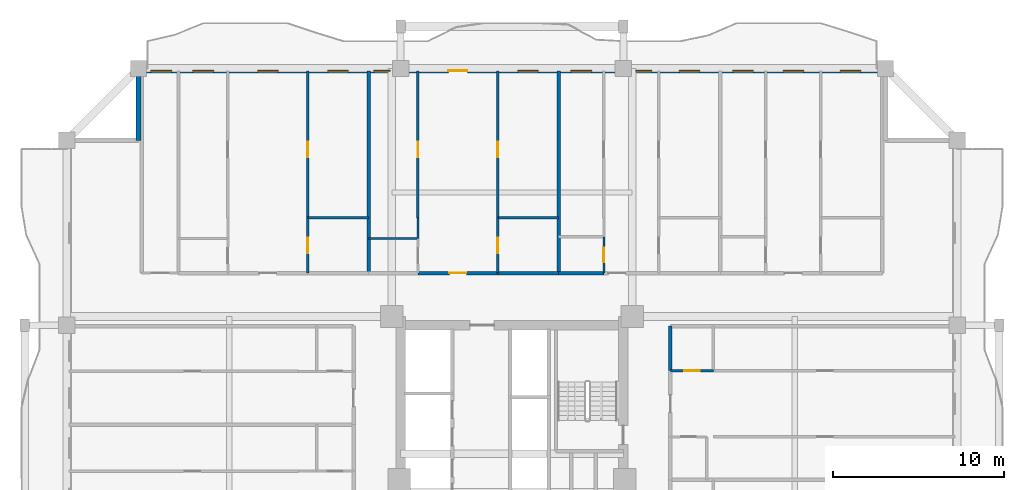
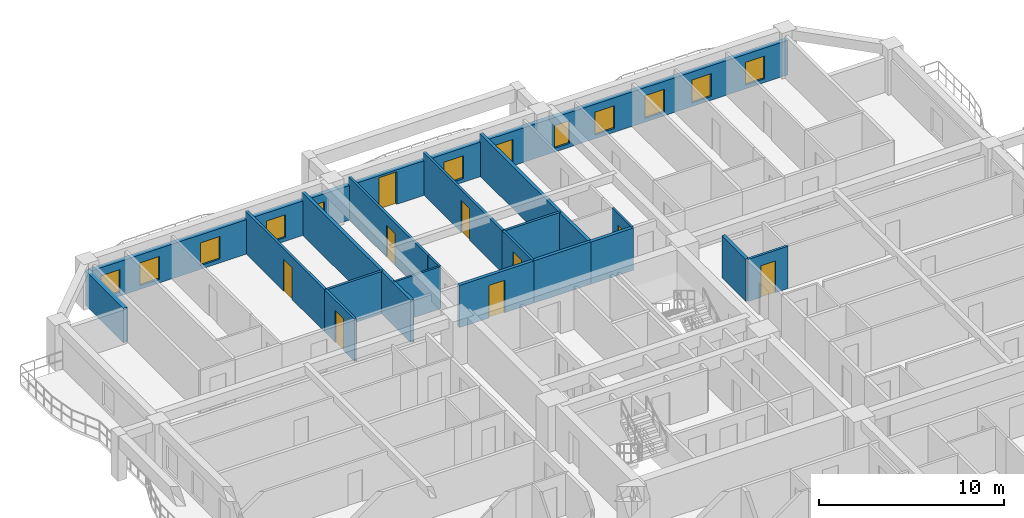
# One storey, part 7 of 14: 19 walls, 12 windows, 9 doors, 21 openings.
"""IFC4 building model written with IfcOpenShell, lengths in metres."""

import ifcopenshell
import ifcopenshell.guid

model = None  # the IFC model being written
_history = None  # IfcOwnerHistory: only IFC2X3 demands one
_inside = {}  # id of a spatial element -> (the spatial element, [elements in it])
_under = {}  # id of a project, library or spatial element -> (it, [spatial elements below it])
_declared = {}  # id of a project -> (the project, [libraries it declares])
_typed = {}  # id of a type object -> (the type object, [elements of that type])
_made_of = {}  # id of a material, layer set ... -> (it, [elements and type objects made of it])


def new_model(schema):
    """Start an empty IFC model of exactly this schema.

    Asked for "IFC4X3", IfcOpenShell would pick the latest addendum, in which some entities
    have other attributes; the version numbers below select the first issue.
    IFC2X3 requires an IfcOwnerHistory on every rooted entity: one is made here for all.
    """
    global model, _history
    if schema == "IFC4X3":
        model = ifcopenshell.file(schema_version=(4, 3, 0, 0))
    else:
        model = ifcopenshell.file(schema=schema)
    _inside.clear()
    _under.clear()
    _declared.clear()
    _typed.clear()
    _made_of.clear()
    _history = None
    if model.schema == "IFC2X3":
        org = make("IfcOrganization", Name="unknown")
        user = make(
            "IfcPersonAndOrganization",
            ThePerson=make("IfcPerson", FamilyName="unknown"),
            TheOrganization=org,
        )
        app = make(
            "IfcApplication",
            ApplicationDeveloper=org,
            Version="unknown",
            ApplicationFullName="unknown",
            ApplicationIdentifier="unknown",
        )
        _history = make(
            "IfcOwnerHistory",
            OwningUser=user,
            OwningApplication=app,
            ChangeAction="ADDED",
            CreationDate=0,
        )
    return model


def make(cls, **values):
    """One entity of the class cls with the attributes given. An attribute that is None is left unset."""
    return model.create_entity(
        cls, **{name: value for name, value in values.items() if value is not None}
    )


def rooted(cls, **values):
    """An entity with a GlobalId (a new one), such as an element, a storey or a relation."""
    return make(cls, GlobalId=ifcopenshell.guid.new(), OwnerHistory=_history, **values)


def si_unit(unit_type, name, prefix=None):
    """IfcSIUnit, for example si_unit("LENGTHUNIT", "METRE", prefix="MILLI")."""
    return make("IfcSIUnit", UnitType=unit_type, Prefix=prefix, Name=name)


def assignment(units):
    """IfcUnitAssignment: the units of a project."""
    return None if units is None else make("IfcUnitAssignment", Units=units)


def point(xyz):
    """IfcCartesianPoint."""
    return None if xyz is None else make("IfcCartesianPoint", Coordinates=xyz)


def direction(xyz):
    """IfcDirection."""
    return None if xyz is None else make("IfcDirection", DirectionRatios=xyz)


def frame(location, z_axis=None, x_axis=None):
    """IfcAxis2Placement3D, a coordinate frame: its origin and axes. An axis left out is left unset."""
    return make(
        "IfcAxis2Placement3D",
        Location=point(location),
        Axis=direction(z_axis),
        RefDirection=direction(x_axis),
    )


def frame_2d(location, x_axis=None):
    """IfcAxis2Placement2D, a coordinate frame in the plane: its origin and x axis."""
    return make(
        "IfcAxis2Placement2D", Location=point(location), RefDirection=direction(x_axis)
    )


def origin():
    """The frame at (0, 0, 0) with its axes left unset."""
    return frame((0.0, 0.0, 0.0))


def place(relative_to, where):
    """IfcLocalPlacement: puts the frame where relative to a parent placement (None: the world)."""
    return make(
        "IfcLocalPlacement", PlacementRelTo=relative_to, RelativePlacement=where
    )


def context(
    kind, dimensions, precision=None, world=None, true_north=None, identifier=None
):
    """IfcGeometricRepresentationContext, for example the 3D "Model" context."""
    return make(
        "IfcGeometricRepresentationContext",
        ContextIdentifier=identifier,
        ContextType=kind,
        CoordinateSpaceDimension=dimensions,
        Precision=precision,
        WorldCoordinateSystem=world,
        TrueNorth=true_north,
    )


def subcontext(parent, identifier, kind, view, scale=None):
    """IfcGeometricRepresentationSubContext, for example "Body" below "Model"."""
    return make(
        "IfcGeometricRepresentationSubContext",
        ContextIdentifier=identifier,
        ContextType=kind,
        ParentContext=parent,
        TargetScale=scale,
        TargetView=view,
    )


def project(units=None, contexts=None):
    """IfcProject with its units and contexts."""
    return rooted(
        "IfcProject",
        Name="project",
        RepresentationContexts=contexts,
        UnitsInContext=assignment(units),
    )


def spatial(cls, under=None, at=None, **own):
    """A site, building, storey or space (cls), placed at a placement, below another one or the project."""
    s = rooted(cls, ObjectPlacement=at, **own)
    if under is not None:
        _under.setdefault(under.id(), (under, []))[1].append(s)
    return s


def profile(cls, at=None, kind="AREA", **sizes):
    """A parametric profile (cls). Its sizes go by their IFC names, for example OverallWidth=200.0."""
    return make(cls, ProfileType=kind, Position=at, **sizes)


def rectangle(**sizes):
    """IfcRectangleProfileDef."""
    return profile("IfcRectangleProfileDef", **sizes)


def extrude(swept, where, along, depth):
    """IfcExtrudedAreaSolid: the profile swept, set in the frame where, extruded along a direction by depth."""
    return make(
        "IfcExtrudedAreaSolid",
        SweptArea=swept,
        Position=where,
        ExtrudedDirection=direction(along),
        Depth=depth,
    )


def shape(context_of_items, identifier, shape_type, items):
    """IfcShapeRepresentation: the items that make up one representation, for example the "Body"."""
    return make(
        "IfcShapeRepresentation",
        ContextOfItems=context_of_items,
        RepresentationIdentifier=identifier,
        RepresentationType=shape_type,
        Items=items,
    )


def source(mapping_origin, context_of_items, identifier, shape_type, items):
    """IfcRepresentationMap: a shape defined once, which mapped items show again and again."""
    return make(
        "IfcRepresentationMap",
        MappingOrigin=mapping_origin,
        MappedRepresentation=shape(context_of_items, identifier, shape_type, items),
    )


def transform(
    local_origin,
    x_axis=None,
    y_axis=None,
    z_axis=None,
    scale=None,
    scale2=None,
    scale3=None,
    uniform=True,
):
    """IfcCartesianTransformationOperator3D, or its non-uniform kind. x_axis, y_axis, z_axis: its Axis1, 2, 3."""
    if uniform:
        return make(
            "IfcCartesianTransformationOperator3D",
            Axis1=direction(x_axis),
            Axis2=direction(y_axis),
            LocalOrigin=point(local_origin),
            Scale=scale,
            Axis3=direction(z_axis),
        )
    return make(
        "IfcCartesianTransformationOperator3DnonUniform",
        Axis1=direction(x_axis),
        Axis2=direction(y_axis),
        LocalOrigin=point(local_origin),
        Scale=scale,
        Axis3=direction(z_axis),
        Scale2=scale2,
        Scale3=scale3,
    )


def mapped(mapping_source, mapping_target):
    """IfcMappedItem: shows the shape of a source again, moved by a transform."""
    return make(
        "IfcMappedItem", MappingSource=mapping_source, MappingTarget=mapping_target
    )


def material(Name=None, Category=None):
    """IfcMaterial."""
    return make("IfcMaterial", Name=Name, Category=Category)


def layer(
    of_material, thickness, ventilated=None, Name=None, Category=None, Priority=None
):
    """IfcMaterialLayer: one layer of a wall or slab, of a material (None: an air gap)."""
    return make(
        "IfcMaterialLayer",
        Material=of_material,
        LayerThickness=thickness,
        IsVentilated=ventilated,
        Name=Name,
        Category=Category,
        Priority=Priority,
    )


def layer_set(layers, Name=None):
    """IfcMaterialLayerSet."""
    return make("IfcMaterialLayerSet", MaterialLayers=layers, LayerSetName=Name)


def made_of(thing, what):
    """Note that an element or type object is made of a material, layer set ...; save() writes the relation."""
    if what is not None:
        _made_of.setdefault(what.id(), (what, []))[1].append(thing)
    return thing


def type_object(cls, material=None, **own):
    """A type object (cls), such as IfcWallType, which elements share."""
    return made_of(rooted(cls, **own), material)


def element(
    cls,
    number,
    at=None,
    inside=None,
    cuts=None,
    type_object=None,
    material=None,
    context=None,
    identifier="Body",
    shape_type=None,
    held_by="IfcProductDefinitionShape",
    body=None,
    shapes=None,
    **own,
):
    """One element of the class cls, such as IfcWall. Its Tag is "e" and its number.

    at: its placement. inside: the storey or other place that contains it. cuts: it is an
    opening in that element (IfcRelVoidsElement). A single representation is given by context,
    identifier, shape_type and body (its items); several are given by shapes. held_by: the class
    of the entity that holds the representations. save() writes the other relations.
    """
    e = rooted(cls, Tag="e%d" % number, ObjectPlacement=at, **own)
    if body is not None:
        shapes = [shape(context, identifier, shape_type, body)]
    if shapes is not None:
        e.Representation = make(held_by, Representations=shapes)
    if inside is not None:
        _inside.setdefault(inside.id(), (inside, []))[1].append(e)
    if cuts is not None:
        rooted(
            "IfcRelVoidsElement", RelatingBuildingElement=cuts, RelatedOpeningElement=e
        )
    if type_object is not None:
        _typed.setdefault(type_object.id(), (type_object, []))[1].append(e)
    return made_of(e, material)


def fill(opening, filler):
    """IfcRelFillsElement: the door or window that sits in an opening."""
    return rooted(
        "IfcRelFillsElement",
        RelatingOpeningElement=opening,
        RelatedBuildingElement=filler,
    )


def aggregate(whole, parts):
    """IfcRelAggregates: a whole, such as a stair, and the parts it consists of."""
    return rooted("IfcRelAggregates", RelatingObject=whole, RelatedObjects=parts)


def save(model, path):
    """Write the relations noted so far, then the file.

    IfcRelAggregates (storeys below a building ...), IfcRelContainedInSpatialStructure (elements
    in a storey), IfcRelDefinesByType, IfcRelAssociatesMaterial and IfcRelDeclares: one each for
    every whole, place, type object, material and project.
    """
    for whole, parts in _under.values():
        aggregate(whole, parts)
    for where, things in _inside.values():
        rooted(
            "IfcRelContainedInSpatialStructure",
            RelatedElements=things,
            RelatingStructure=where,
        )
    for kind, things in _typed.values():
        rooted("IfcRelDefinesByType", RelatedObjects=things, RelatingType=kind)
    for what, things in _made_of.values():
        rooted("IfcRelAssociatesMaterial", RelatedObjects=things, RelatingMaterial=what)
    for by, libraries in _declared.values():
        rooted("IfcRelDeclares", RelatingContext=by, RelatedDefinitions=libraries)
    model.write(path)


model = new_model("IFC4")

# Units and contexts
model_context = context("Model", 3, precision=1e-05, world=origin(), true_north=direction((0.0, 1.0)))
body_context = subcontext(model_context, "Body", "Model", "MODEL_VIEW")
ifc_project = project(units=[si_unit("LENGTHUNIT", "METRE"), si_unit("AREAUNIT", "SQUARE_METRE"), si_unit("VOLUMEUNIT", "CUBIC_METRE"), si_unit("PLANEANGLEUNIT", "RADIAN"), si_unit("MASSUNIT", "GRAM", prefix="KILO")], contexts=[model_context])

# Site, building, storey
site_placement = place(None, origin())
site = spatial("IfcSite", under=ifc_project, at=site_placement, CompositionType="ELEMENT")
building_placement = place(site_placement, origin())
building = spatial("IfcBuilding", under=site, at=building_placement, Name="Saelheon Loggia Tower", CompositionType="ELEMENT")
storey_placement = place(building_placement, frame((0.0, 0.0, 86.85009765625)))
storey = spatial("IfcBuildingStorey", under=building, at=storey_placement, Name="L27", CompositionType="ELEMENT", Elevation=86.85009765625)

# Wall, openings, windows, door
ifc_material_1 = material(Name="Architectural Precast Concrete C40/50", Category="concrete")
ifc_layer_1 = layer(ifc_material_1, 0.280029296875)
ifc_layer_set_1 = layer_set([ifc_layer_1], Name="Architectural Precast Concrete C40/50")
wall_type_1 = type_object("IfcWallType", Name="Wall_Ext_Loggia_280", PredefinedType="SOLIDWALL", material=ifc_layer_set_1)
wall_1_placement = place(storey_placement, frame((16.199951171875, 50.860107421875, 0.0), z_axis=(0.0, 0.0, 1.0), x_axis=(1.0, 0.0, 0.0)))
wall_1 = element("IfcWall", 1, at=wall_1_placement, inside=storey, type_object=wall_type_1, Name="L27 North Loggia Inner Wall", PredefinedType="SOLIDWALL", context=body_context, shape_type="SweptSolid", body=[
    extrude(rectangle(XDim=43.60009765625, YDim=0.280029296875, at=frame_2d((21.800048828125, 0.0))), origin(), (0.0, 0.0, 1.0), 2.27978515625),
])
opening_1_placement = place(wall_1_placement, frame((0.722412109375, 0.0, 0.25)))
opening_1 = element("IfcOpeningElement", 2, at=opening_1_placement, cuts=wall_1, Name="Opening WN-03", PredefinedType="OPENING", context=body_context, shape_type="SweptSolid", body=[
    extrude(rectangle(XDim=1.199951171875, YDim=1.5, at=frame_2d((0.60009765625, 0.75))), frame((0.0, 0.152099609375, 0.0), z_axis=(0.0, -1.0, 0.0), x_axis=(1.0, 0.0, 0.0)), (0.0, 0.0, 1.0), 0.303955078125),
])
opening_2_placement = place(wall_1_placement, frame((3.17236328125, 0.0, 0.25)))
opening_2 = element("IfcOpeningElement", 3, at=opening_2_placement, cuts=wall_1, Name="Opening WN-03", PredefinedType="OPENING", context=body_context, shape_type="SweptSolid", body=[
    extrude(rectangle(XDim=1.199951171875, YDim=1.5, at=frame_2d((0.60009765625, 0.75))), frame((0.0, 0.152099609375, 0.0), z_axis=(0.0, -1.0, 0.0), x_axis=(1.0, 0.0, 0.0)), (0.0, 0.0, 1.0), 0.303955078125),
])
opening_3_placement = place(wall_1_placement, frame((6.9443359375, 0.0, 0.25)))
opening_3 = element("IfcOpeningElement", 4, at=opening_3_placement, cuts=wall_1, Name="Opening WN-03", PredefinedType="OPENING", context=body_context, shape_type="SweptSolid", body=[
    extrude(rectangle(XDim=1.199951171875, YDim=1.5, at=frame_2d((0.60009765625, 0.75))), frame((0.0, 0.152099609375, 0.0), z_axis=(0.0, -1.0, 0.0), x_axis=(1.0, 0.0, 0.0)), (0.0, 0.0, 1.0), 0.303955078125),
])
opening_4_placement = place(wall_1_placement, frame((11.04931640625, 0.0, 0.25)))
opening_4 = element("IfcOpeningElement", 5, at=opening_4_placement, cuts=wall_1, Name="Opening WN-03", PredefinedType="OPENING", context=body_context, shape_type="SweptSolid", body=[
    extrude(rectangle(XDim=1.199951171875, YDim=1.5, at=frame_2d((0.60009765625, 0.75))), frame((0.0, 0.152099609375, 0.0), z_axis=(0.0, -1.0, 0.0), x_axis=(1.0, 0.0, 0.0)), (0.0, 0.0, 1.0), 0.303955078125),
])
opening_5_placement = place(wall_1_placement, frame((13.729736328125, 0.0, 0.25)))
opening_5 = element("IfcOpeningElement", 6, at=opening_5_placement, cuts=wall_1, Name="Opening WN-04", PredefinedType="OPENING", context=body_context, shape_type="SweptSolid", body=[
    extrude(rectangle(XDim=0.949951171875, YDim=1.5, at=frame_2d((0.47509765625, 0.75))), frame((0.0, 0.152099609375, 0.0), z_axis=(0.0, -1.0, 0.0), x_axis=(1.0, 0.0, 0.0)), (0.0, 0.0, 1.0), 0.303955078125),
])
opening_6_placement = place(wall_1_placement, frame((18.088623046875, 0.0, 0.0)))
opening_6 = element("IfcOpeningElement", 7, at=opening_6_placement, cuts=wall_1, Name="Opening TD1", PredefinedType="OPENING", context=body_context, shape_type="SweptSolid", body=[
    extrude(rectangle(XDim=1.10009765625, YDim=2.14990234375, at=frame_2d((0.550048828125, 1.074951171875))), frame((0.0, 0.152099609375, 0.0), z_axis=(0.0, -1.0, 0.0), x_axis=(1.0, 0.0, 0.0)), (0.0, 0.0, 1.0), 0.303955078125),
])
opening_7_placement = place(wall_1_placement, frame((22.1435546875, 0.0, 0.25)))
opening_7 = element("IfcOpeningElement", 8, at=opening_7_placement, cuts=wall_1, Name="Opening WN-03", PredefinedType="OPENING", context=body_context, shape_type="SweptSolid", body=[
    extrude(rectangle(XDim=1.199951171875, YDim=1.5, at=frame_2d((0.60009765625, 0.75))), frame((0.0, 0.152099609375, 0.0), z_axis=(0.0, -1.0, 0.0), x_axis=(1.0, 0.0, 0.0)), (0.0, 0.0, 1.0), 0.303955078125),
])
opening_8_placement = place(wall_1_placement, frame((25.24169921875, 0.0, 0.25)))
opening_8 = element("IfcOpeningElement", 9, at=opening_8_placement, cuts=wall_1, Name="Opening WN-03", PredefinedType="OPENING", context=body_context, shape_type="SweptSolid", body=[
    extrude(rectangle(XDim=1.199951171875, YDim=1.5, at=frame_2d((0.60009765625, 0.75))), frame((0.0, 0.152099609375, 0.0), z_axis=(0.0, -1.0, 0.0), x_axis=(1.0, 0.0, 0.0)), (0.0, 0.0, 1.0), 0.303955078125),
])
opening_9_placement = place(wall_1_placement, frame((29.021484375, 0.0, 0.25)))
opening_9 = element("IfcOpeningElement", 10, at=opening_9_placement, cuts=wall_1, Name="Opening WN-04", PredefinedType="OPENING", context=body_context, shape_type="SweptSolid", body=[
    extrude(rectangle(XDim=0.949951171875, YDim=1.5, at=frame_2d((0.47509765625, 0.75))), frame((0.0, 0.152099609375, 0.0), z_axis=(0.0, -1.0, 0.0), x_axis=(1.0, 0.0, 0.0)), (0.0, 0.0, 1.0), 0.303955078125),
])
opening_10_placement = place(wall_1_placement, frame((31.57373046875, 0.0, 0.25)))
opening_10 = element("IfcOpeningElement", 11, at=opening_10_placement, cuts=wall_1, Name="Opening WN-03", PredefinedType="OPENING", context=body_context, shape_type="SweptSolid", body=[
    extrude(rectangle(XDim=1.199951171875, YDim=1.5, at=frame_2d((0.60009765625, 0.75))), frame((0.0, 0.152099609375, 0.0), z_axis=(0.0, -1.0, 0.0), x_axis=(1.0, 0.0, 0.0)), (0.0, 0.0, 1.0), 0.303955078125),
])
opening_11_placement = place(wall_1_placement, frame((34.6923828125, 0.0, 0.25)))
opening_11 = element("IfcOpeningElement", 12, at=opening_11_placement, cuts=wall_1, Name="Opening WN-03", PredefinedType="OPENING", context=body_context, shape_type="SweptSolid", body=[
    extrude(rectangle(XDim=1.199951171875, YDim=1.5, at=frame_2d((0.60009765625, 0.75))), frame((0.0, 0.152099609375, 0.0), z_axis=(0.0, -1.0, 0.0), x_axis=(1.0, 0.0, 0.0)), (0.0, 0.0, 1.0), 0.303955078125),
])
opening_12_placement = place(wall_1_placement, frame((37.6220703125, 0.0, 0.25)))
opening_12 = element("IfcOpeningElement", 13, at=opening_12_placement, cuts=wall_1, Name="Opening WN-03", PredefinedType="OPENING", context=body_context, shape_type="SweptSolid", body=[
    extrude(rectangle(XDim=1.199951171875, YDim=1.5, at=frame_2d((0.60009765625, 0.75))), frame((0.0, 0.152099609375, 0.0), z_axis=(0.0, -1.0, 0.0), x_axis=(1.0, 0.0, 0.0)), (0.0, 0.0, 1.0), 0.303955078125),
])
opening_13_placement = place(wall_1_placement, frame((40.956787109375, 0.0, 0.25)))
opening_13 = element("IfcOpeningElement", 14, at=opening_13_placement, cuts=wall_1, Name="Opening WN-03", PredefinedType="OPENING", context=body_context, shape_type="SweptSolid", body=[
    extrude(rectangle(XDim=1.199951171875, YDim=1.5, at=frame_2d((0.60009765625, 0.75))), frame((0.0, 0.152099609375, 0.0), z_axis=(0.0, -1.0, 0.0), x_axis=(1.0, 0.0, 0.0)), (0.0, 0.0, 1.0), 0.303955078125),
])
ifc_material_2 = material(Name="Thermal-Break Aluminium and Triple Low-E Glass", Category="aluminium")
window_type_1 = type_object("IfcWindowType", Name="Win_Bedroom_1200x1500", PartitioningType="SINGLE_PANEL", PredefinedType="WINDOW", material=ifc_material_2)
shared_shape_1 = source(origin(), body_context, "Body", "SweptSolid", [
    extrude(rectangle(XDim=1.199951171875, YDim=1.5, at=frame_2d((0.60009765625, 0.75))), frame((0.0, 0.030029296875, 0.0), z_axis=(0.0, -1.0, 0.0), x_axis=(1.0, 0.0, 0.0)), (0.0, 0.0, 1.0), 0.06005859375),
])
window_1_placement = place(opening_1_placement, origin())
window_1 = element("IfcWindow", 15, at=window_1_placement, inside=storey, type_object=window_type_1, Name="L27 N Dwelling Window 1", OverallHeight=1.5, OverallWidth=1.199951171875, PartitioningType="SINGLE_PANEL", PredefinedType="WINDOW", context=body_context, shape_type="MappedRepresentation", body=[
    mapped(shared_shape_1, transform((0.0, 0.0, 0.0), scale=1.0)),
])
fill(opening_1, window_1)
window_2_placement = place(opening_2_placement, origin())
window_2 = element("IfcWindow", 16, at=window_2_placement, inside=storey, type_object=window_type_1, Name="L27 N Dwelling Window 2", OverallHeight=1.5, OverallWidth=1.199951171875, PartitioningType="SINGLE_PANEL", PredefinedType="WINDOW", context=body_context, shape_type="MappedRepresentation", body=[
    mapped(shared_shape_1, transform((0.0, 0.0, 0.0), scale=1.0)),
])
fill(opening_2, window_2)
window_3_placement = place(opening_3_placement, origin())
window_3 = element("IfcWindow", 17, at=window_3_placement, inside=storey, type_object=window_type_1, Name="L27 N Dwelling Window 3", OverallHeight=1.5, OverallWidth=1.199951171875, PartitioningType="SINGLE_PANEL", PredefinedType="WINDOW", context=body_context, shape_type="MappedRepresentation", body=[
    mapped(shared_shape_1, transform((0.0, 0.0, 0.0), scale=1.0)),
])
fill(opening_3, window_3)
window_4_placement = place(opening_4_placement, origin())
window_4 = element("IfcWindow", 18, at=window_4_placement, inside=storey, type_object=window_type_1, Name="L27 N Dwelling Window 4", OverallHeight=1.5, OverallWidth=1.199951171875, PartitioningType="SINGLE_PANEL", PredefinedType="WINDOW", context=body_context, shape_type="MappedRepresentation", body=[
    mapped(shared_shape_1, transform((0.0, 0.0, 0.0), scale=1.0)),
])
fill(opening_4, window_4)
window_5_placement = place(opening_7_placement, origin())
window_5 = element("IfcWindow", 19, at=window_5_placement, inside=storey, type_object=window_type_1, Name="L27 N Dwelling Window 7", OverallHeight=1.5, OverallWidth=1.199951171875, PartitioningType="SINGLE_PANEL", PredefinedType="WINDOW", context=body_context, shape_type="MappedRepresentation", body=[
    mapped(shared_shape_1, transform((0.0, 0.0, 0.0), scale=1.0)),
])
fill(opening_7, window_5)
window_6_placement = place(opening_8_placement, origin())
window_6 = element("IfcWindow", 20, at=window_6_placement, inside=storey, type_object=window_type_1, Name="L27 N Dwelling Window 8", OverallHeight=1.5, OverallWidth=1.199951171875, PartitioningType="SINGLE_PANEL", PredefinedType="WINDOW", context=body_context, shape_type="MappedRepresentation", body=[
    mapped(shared_shape_1, transform((0.0, 0.0, 0.0), scale=1.0)),
])
fill(opening_8, window_6)
window_7_placement = place(opening_10_placement, origin())
window_7 = element("IfcWindow", 21, at=window_7_placement, inside=storey, type_object=window_type_1, Name="L27 N Dwelling Window 10", OverallHeight=1.5, OverallWidth=1.199951171875, PartitioningType="SINGLE_PANEL", PredefinedType="WINDOW", context=body_context, shape_type="MappedRepresentation", body=[
    mapped(shared_shape_1, transform((0.0, 0.0, 0.0), scale=1.0)),
])
fill(opening_10, window_7)
window_8_placement = place(opening_11_placement, origin())
window_8 = element("IfcWindow", 22, at=window_8_placement, inside=storey, type_object=window_type_1, Name="L27 N Dwelling Window 11", OverallHeight=1.5, OverallWidth=1.199951171875, PartitioningType="SINGLE_PANEL", PredefinedType="WINDOW", context=body_context, shape_type="MappedRepresentation", body=[
    mapped(shared_shape_1, transform((0.0, 0.0, 0.0), scale=1.0)),
])
fill(opening_11, window_8)
window_9_placement = place(opening_12_placement, origin())
window_9 = element("IfcWindow", 23, at=window_9_placement, inside=storey, type_object=window_type_1, Name="L27 N Dwelling Window 12", OverallHeight=1.5, OverallWidth=1.199951171875, PartitioningType="SINGLE_PANEL", PredefinedType="WINDOW", context=body_context, shape_type="MappedRepresentation", body=[
    mapped(shared_shape_1, transform((0.0, 0.0, 0.0), scale=1.0)),
])
fill(opening_12, window_9)
window_10_placement = place(opening_13_placement, origin())
window_10 = element("IfcWindow", 24, at=window_10_placement, inside=storey, type_object=window_type_1, Name="L27 N Dwelling Window 13", OverallHeight=1.5, OverallWidth=1.199951171875, PartitioningType="SINGLE_PANEL", PredefinedType="WINDOW", context=body_context, shape_type="MappedRepresentation", body=[
    mapped(shared_shape_1, transform((0.0, 0.0, 0.0), scale=1.0)),
])
fill(opening_13, window_10)
ifc_material_3 = material(Name="Thermal-Break Aluminium Glazed Door", Category="aluminium")
door_type_1 = type_object("IfcDoorType", Name="Door_Terrace_TD1", OperationType="NOTDEFINED", PredefinedType="DOOR", material=ifc_material_3)
shared_shape_2 = source(origin(), body_context, "Body", "SweptSolid", [
    extrude(rectangle(XDim=1.10009765625, YDim=2.14990234375, at=frame_2d((0.550048828125, 1.074951171875))), frame((0.0, 0.02490234375, 0.0), z_axis=(0.0, -1.0, 0.0), x_axis=(1.0, 0.0, 0.0)), (0.0, 0.0, 1.0), 0.050048828125),
])
door_1_placement = place(opening_6_placement, origin())
door_1 = element("IfcDoor", 25, at=door_1_placement, inside=storey, type_object=door_type_1, Name="L27 N Loggia Access Door", OperationType="SINGLE_SWING_RIGHT", OverallHeight=2.14990234375, OverallWidth=1.10009765625, PredefinedType="DOOR", context=body_context, shape_type="MappedRepresentation", body=[
    mapped(shared_shape_2, transform((0.0, 0.0, 0.0), scale=1.0)),
])
fill(opening_6, door_1)
window_type_2 = type_object("IfcWindowType", Name="Win_Narrow_950x1500", PartitioningType="SINGLE_PANEL", PredefinedType="WINDOW", material=ifc_material_2)
shared_shape_3 = source(origin(), body_context, "Body", "SweptSolid", [
    extrude(rectangle(XDim=0.949951171875, YDim=1.5, at=frame_2d((0.47509765625, 0.75))), frame((0.0, 0.030029296875, 0.0), z_axis=(0.0, -1.0, 0.0), x_axis=(1.0, 0.0, 0.0)), (0.0, 0.0, 1.0), 0.06005859375),
])
window_11_placement = place(opening_5_placement, origin())
window_11 = element("IfcWindow", 26, at=window_11_placement, inside=storey, type_object=window_type_2, Name="L27 N Dwelling Window 5", OverallHeight=1.5, OverallWidth=0.949951171875, PartitioningType="SINGLE_PANEL", PredefinedType="WINDOW", context=body_context, shape_type="MappedRepresentation", body=[
    mapped(shared_shape_3, transform((0.0, 0.0, 0.0), scale=1.0)),
])
fill(opening_5, window_11)
window_12_placement = place(opening_9_placement, origin())
window_12 = element("IfcWindow", 27, at=window_12_placement, inside=storey, type_object=window_type_2, Name="L27 N Dwelling Window 9", OverallHeight=1.5, OverallWidth=0.949951171875, PartitioningType="SINGLE_PANEL", PredefinedType="WINDOW", context=body_context, shape_type="MappedRepresentation", body=[
    mapped(shared_shape_3, transform((0.0, 0.0, 0.0), scale=1.0)),
])
fill(opening_9, window_12)

# Walls
wall_2_placement = place(storey_placement, frame((16.199951171875, 46.800048828125, 0.0), z_axis=(0.0, 0.0, 1.0), x_axis=(0.0, 1.0, 0.0)))
element("IfcWall", 28, at=wall_2_placement, inside=storey, type_object=wall_type_1, Name="L27 Corner Notch Precast Wall NW1", PredefinedType="SOLIDWALL", context=body_context, shape_type="SweptSolid", body=[
    extrude(rectangle(XDim=4.119873046875, YDim=0.280029296875, at=frame_2d((2.06005859375, 0.0))), origin(), (0.0, 0.0, 1.0), 2.27978515625),
])
ifc_material_4 = material(Name="Lightweight Autoclaved Aerated Concrete Block and Acoustic Gypsum", Category="concrete")
ifc_layer_2 = layer(ifc_material_4, 0.14990234375)
ifc_layer_set_2 = layer_set([ifc_layer_2], Name="Lightweight Autoclaved Aerated Concrete Block and Acoustic Gypsum")
wall_type_2 = type_object("IfcWallType", Name="Wall_Part_150", PredefinedType="PARTITIONING", material=ifc_layer_set_2)
wall_3_placement = place(storey_placement, frame((26.07421875, 42.27001953125, 0.0), z_axis=(0.0, 0.0, 1.0), x_axis=(1.0, 0.0, 0.0)))
element("IfcWall", 29, at=wall_3_placement, inside=storey, type_object=wall_type_2, Name="L27 N Partition V09", PredefinedType="PARTITIONING", context=body_context, shape_type="SweptSolid", body=[
    extrude(rectangle(XDim=3.550048828125, YDim=0.14990234375, at=frame_2d((1.77490234375, 0.0))), origin(), (0.0, 0.0, 1.0), 2.789794921875),
])

# Wall, opening, door
wall_4_placement = place(storey_placement, frame((26.07421875, 39.050048828125, 0.0), z_axis=(0.0, 0.0, 1.0), x_axis=(0.0, 1.0, 0.0)))
wall_4 = element("IfcWall", 30, at=wall_4_placement, inside=storey, type_object=wall_type_2, Name="L27 N Partition U13", PredefinedType="PARTITIONING", context=body_context, shape_type="SweptSolid", body=[
    extrude(rectangle(XDim=3.219970703125, YDim=0.14990234375, at=frame_2d((1.60986328125, 0.0))), origin(), (0.0, 0.0, 1.0), 2.789794921875),
])
opening_14_placement = place(wall_4_placement, frame((1.159912109375, 0.0, 0.0)))
opening_14 = element("IfcOpeningElement", 31, at=opening_14_placement, cuts=wall_4, Name="Opening D-IN2", PredefinedType="OPENING", context=body_context, shape_type="SweptSolid", body=[
    extrude(rectangle(XDim=0.89990234375, YDim=2.10009765625, at=frame_2d((0.449951171875, 1.050048828125))), frame((0.0, 0.0869140625, 0.0), z_axis=(0.0, -1.0, 0.0), x_axis=(1.0, 0.0, 0.0)), (0.0, 0.0, 1.0), 0.173828125),
])
ifc_material_5 = material(Name="Engineered Oak Flush Door", Category="timber")
door_type_2 = type_object("IfcDoorType", Name="Door_Int_900", OperationType="NOTDEFINED", PredefinedType="DOOR", material=ifc_material_5)
shared_shape_4 = source(origin(), body_context, "Body", "SweptSolid", [
    extrude(rectangle(XDim=0.89990234375, YDim=2.10009765625, at=frame_2d((0.449951171875, 1.050048828125))), frame((0.0, 0.02490234375, 0.0), z_axis=(0.0, -1.0, 0.0), x_axis=(1.0, 0.0, 0.0)), (0.0, 0.0, 1.0), 0.050048828125),
])
door_2_placement = place(opening_14_placement, origin())
door_2 = element("IfcDoor", 32, at=door_2_placement, inside=storey, type_object=door_type_2, Name="Unit U05 Kitchen Door", OperationType="SINGLE_SWING_LEFT", OverallHeight=2.10009765625, OverallWidth=0.89990234375, PredefinedType="DOOR", context=body_context, shape_type="MappedRepresentation", body=[
    mapped(shared_shape_4, transform((0.0, 0.0, 0.0), scale=1.0)),
])
fill(opening_14, door_2)

wall_5_placement = place(storey_placement, frame((26.07421875, 42.27001953125, 0.0), z_axis=(0.0, 0.0, 1.0), x_axis=(0.0, 1.0, 0.0)))
wall_5 = element("IfcWall", 33, at=wall_5_placement, inside=storey, type_object=wall_type_2, Name="L27 N Partition U14", PredefinedType="PARTITIONING", context=body_context, shape_type="SweptSolid", body=[
    extrude(rectangle(XDim=8.580078125, YDim=0.14990234375, at=frame_2d((4.2900390625, 0.0))), origin(), (0.0, 0.0, 1.0), 2.789794921875),
])
opening_15_placement = place(wall_5_placement, frame((3.5400390625, 0.0, 0.0)))
opening_15 = element("IfcOpeningElement", 34, at=opening_15_placement, cuts=wall_5, Name="Opening D-IN2", PredefinedType="OPENING", context=body_context, shape_type="SweptSolid", body=[
    extrude(rectangle(XDim=0.89990234375, YDim=2.10009765625, at=frame_2d((0.449951171875, 1.050048828125))), frame((0.0, 0.0869140625, 0.0), z_axis=(0.0, -1.0, 0.0), x_axis=(1.0, 0.0, 0.0)), (0.0, 0.0, 1.0), 0.173828125),
])
door_3_placement = place(opening_15_placement, origin())
door_3 = element("IfcDoor", 35, at=door_3_placement, inside=storey, type_object=door_type_2, Name="Unit U05 Bedroom 1 Door", OperationType="SINGLE_SWING_RIGHT", OverallHeight=2.10009765625, OverallWidth=0.89990234375, PredefinedType="DOOR", context=body_context, shape_type="MappedRepresentation", body=[
    mapped(shared_shape_4, transform((0.0, 0.0, 0.0), scale=1.0)),
])
fill(opening_15, door_3)

# Wall
wall_6_placement = place(storey_placement, frame((37.16845703125, 42.27001953125, 0.0), z_axis=(0.0, 0.0, 1.0), x_axis=(1.0, 0.0, 0.0)))
element("IfcWall", 36, at=wall_6_placement, inside=storey, type_object=wall_type_2, Name="L27 N Partition V20", PredefinedType="PARTITIONING", context=body_context, shape_type="SweptSolid", body=[
    extrude(rectangle(XDim=3.550048828125, YDim=0.14990234375, at=frame_2d((1.77490234375, 0.0))), origin(), (0.0, 0.0, 1.0), 2.789794921875),
])

# Wall, opening, door
wall_7_placement = place(storey_placement, frame((32.5087890625, 42.27001953125, 0.0), z_axis=(0.0, 0.0, 1.0), x_axis=(0.0, 1.0, 0.0)))
wall_7 = element("IfcWall", 37, at=wall_7_placement, inside=storey, type_object=wall_type_2, Name="L27 N Partition U23", PredefinedType="PARTITIONING", context=body_context, shape_type="SweptSolid", body=[
    extrude(rectangle(XDim=8.580078125, YDim=0.14990234375, at=frame_2d((4.2900390625, 0.0))), origin(), (0.0, 0.0, 1.0), 2.789794921875),
])
opening_16_placement = place(wall_7_placement, frame((3.5400390625, 0.0, 0.0)))
opening_16 = element("IfcOpeningElement", 38, at=opening_16_placement, cuts=wall_7, Name="Opening D-IN2", PredefinedType="OPENING", context=body_context, shape_type="SweptSolid", body=[
    extrude(rectangle(XDim=0.89990234375, YDim=2.10009765625, at=frame_2d((0.449951171875, 1.050048828125))), frame((0.0, 0.0869140625, 0.0), z_axis=(0.0, -1.0, 0.0), x_axis=(1.0, 0.0, 0.0)), (0.0, 0.0, 1.0), 0.173828125),
])
door_4_placement = place(opening_16_placement, origin())
door_4 = element("IfcDoor", 39, at=door_4_placement, inside=storey, type_object=door_type_2, Name="Unit U06 Bedroom 2 Door", OperationType="SINGLE_SWING_LEFT", OverallHeight=2.10009765625, OverallWidth=0.89990234375, PredefinedType="DOOR", context=body_context, shape_type="MappedRepresentation", body=[
    mapped(shared_shape_4, transform((0.0, 0.0, 0.0), scale=1.0)),
])
fill(opening_16, door_4)

wall_8_placement = place(storey_placement, frame((37.16845703125, 39.050048828125, 0.0), z_axis=(0.0, 0.0, 1.0), x_axis=(0.0, 1.0, 0.0)))
wall_8 = element("IfcWall", 40, at=wall_8_placement, inside=storey, type_object=wall_type_2, Name="L27 N Partition U24", PredefinedType="PARTITIONING", context=body_context, shape_type="SweptSolid", body=[
    extrude(rectangle(XDim=3.219970703125, YDim=0.14990234375, at=frame_2d((1.60986328125, 0.0))), origin(), (0.0, 0.0, 1.0), 2.789794921875),
])
opening_17_placement = place(wall_8_placement, frame((1.159912109375, 0.0, 0.0)))
opening_17 = element("IfcOpeningElement", 41, at=opening_17_placement, cuts=wall_8, Name="Opening D-IN2", PredefinedType="OPENING", context=body_context, shape_type="SweptSolid", body=[
    extrude(rectangle(XDim=0.89990234375, YDim=2.10009765625, at=frame_2d((0.449951171875, 1.050048828125))), frame((0.0, 0.0869140625, 0.0), z_axis=(0.0, -1.0, 0.0), x_axis=(1.0, 0.0, 0.0)), (0.0, 0.0, 1.0), 0.173828125),
])
door_5_placement = place(opening_17_placement, origin())
door_5 = element("IfcDoor", 42, at=door_5_placement, inside=storey, type_object=door_type_2, Name="Unit U06 Kitchen Door", OperationType="SINGLE_SWING_RIGHT", OverallHeight=2.10009765625, OverallWidth=0.89990234375, PredefinedType="DOOR", context=body_context, shape_type="MappedRepresentation", body=[
    mapped(shared_shape_4, transform((0.0, 0.0, 0.0), scale=1.0)),
])
fill(opening_17, door_5)

wall_9_placement = place(storey_placement, frame((37.16845703125, 42.27001953125, 0.0), z_axis=(0.0, 0.0, 1.0), x_axis=(0.0, 1.0, 0.0)))
wall_9 = element("IfcWall", 43, at=wall_9_placement, inside=storey, type_object=wall_type_2, Name="L27 N Partition U25", PredefinedType="PARTITIONING", context=body_context, shape_type="SweptSolid", body=[
    extrude(rectangle(XDim=8.580078125, YDim=0.14990234375, at=frame_2d((4.2900390625, 0.0))), origin(), (0.0, 0.0, 1.0), 2.789794921875),
])
opening_18_placement = place(wall_9_placement, frame((3.5400390625, 0.0, 0.0)))
opening_18 = element("IfcOpeningElement", 44, at=opening_18_placement, cuts=wall_9, Name="Opening D-IN2", PredefinedType="OPENING", context=body_context, shape_type="SweptSolid", body=[
    extrude(rectangle(XDim=0.89990234375, YDim=2.10009765625, at=frame_2d((0.449951171875, 1.050048828125))), frame((0.0, 0.0869140625, 0.0), z_axis=(0.0, -1.0, 0.0), x_axis=(1.0, 0.0, 0.0)), (0.0, 0.0, 1.0), 0.173828125),
])
door_6_placement = place(opening_18_placement, origin())
door_6 = element("IfcDoor", 45, at=door_6_placement, inside=storey, type_object=door_type_2, Name="Unit U06 Bedroom 1 Door", OperationType="SINGLE_SWING_LEFT", OverallHeight=2.10009765625, OverallWidth=0.89990234375, PredefinedType="DOOR", context=body_context, shape_type="MappedRepresentation", body=[
    mapped(shared_shape_4, transform((0.0, 0.0, 0.0), scale=1.0)),
])
fill(opening_18, door_6)

wall_10_placement = place(storey_placement, frame((47.25, 33.35009765625, 0.0), z_axis=(0.0, 0.0, 1.0), x_axis=(1.0, 0.0, 0.0)))
wall_10 = element("IfcWall", 46, at=wall_10_placement, inside=storey, type_object=wall_type_2, Name="L27 E Partition U20", PredefinedType="PARTITIONING", context=body_context, shape_type="SweptSolid", body=[
    extrude(rectangle(XDim=2.5, YDim=0.14990234375, at=frame_2d((1.25, 0.0))), origin(), (0.0, 0.0, 1.0), 2.789794921875),
])
opening_19_placement = place(wall_10_placement, frame((0.800048828125, 0.0, 0.0)))
opening_19 = element("IfcOpeningElement", 47, at=opening_19_placement, cuts=wall_10, Name="Opening D-IN2", PredefinedType="OPENING", context=body_context, shape_type="SweptSolid", body=[
    extrude(rectangle(XDim=0.89990234375, YDim=2.10009765625, at=frame_2d((0.449951171875, 1.050048828125))), frame((0.0, 0.0869140625, 0.0), z_axis=(0.0, -1.0, 0.0), x_axis=(1.0, 0.0, 0.0)), (0.0, 0.0, 1.0), 0.173828125),
])
door_7_placement = place(opening_19_placement, origin())
door_7 = element("IfcDoor", 48, at=door_7_placement, inside=storey, type_object=door_type_2, Name="Unit U13 Dressing Closet Door", OperationType="SINGLE_SWING_RIGHT", OverallHeight=2.10009765625, OverallWidth=0.89990234375, PredefinedType="DOOR", context=body_context, shape_type="MappedRepresentation", body=[
    mapped(shared_shape_4, transform((0.0, 0.0, 0.0), scale=1.0)),
])
fill(opening_19, door_7)

# Wall
ifc_material_6 = material(Name="Double Acoustic Stud and Fireboard Partition", Category="gypsum")
ifc_layer_3 = layer(ifc_material_6, 0.199951171875)
ifc_layer_set_3 = layer_set([ifc_layer_3], Name="Double Acoustic Stud and Fireboard Partition")
wall_type_3 = type_object("IfcWallType", Name="Wall_Party_200", PredefinedType="PARTITIONING", material=ifc_layer_set_3)
wall_11_placement = place(storey_placement, frame((29.624267578125, 39.050048828125, 0.0), z_axis=(0.0, 0.0, 1.0), x_axis=(0.0, 1.0, 0.0)))
element("IfcWall", 49, at=wall_11_placement, inside=storey, type_object=wall_type_3, Name="L27 N Partition U15", PredefinedType="PARTITIONING", context=body_context, shape_type="SweptSolid", body=[
    extrude(rectangle(XDim=11.800048828125, YDim=0.199951171875, at=frame_2d((5.89990234375, 0.0))), origin(), (0.0, 0.0, 1.0), 2.789794921875),
])

# Wall, opening, door
wall_12_placement = place(storey_placement, frame((32.5087890625, 39.050048828125, 0.0), z_axis=(0.0, 0.0, 1.0), x_axis=(1.0, 0.0, 0.0)))
wall_12 = element("IfcWall", 50, at=wall_12_placement, inside=storey, type_object=wall_type_3, Name="L27 N Partition V17", PredefinedType="PARTITIONING", context=body_context, shape_type="SweptSolid", body=[
    extrude(rectangle(XDim=4.65966796875, YDim=0.199951171875, at=frame_2d((2.329833984375, 0.0))), origin(), (0.0, 0.0, 1.0), 2.789794921875),
])
opening_20_placement = place(wall_12_placement, frame((1.829833984375, 0.0, 0.0)))
opening_20 = element("IfcOpeningElement", 51, at=opening_20_placement, cuts=wall_12, Name="Opening D-FD1", PredefinedType="OPENING", context=body_context, shape_type="SweptSolid", body=[
    extrude(rectangle(XDim=1.0, YDim=2.14990234375, at=frame_2d((0.5, 1.074951171875))), frame((0.0, 0.112060546875, 0.0), z_axis=(0.0, -1.0, 0.0), x_axis=(1.0, 0.0, 0.0)), (0.0, 0.0, 1.0), 0.223876953125),
])
ifc_material_7 = material(Name="Fire-Rated Engineered Timber Entrance Door", Category="wood")
door_type_3 = type_object("IfcDoorType", Name="Door_Flat_FD30S", OperationType="NOTDEFINED", PredefinedType="DOOR", material=ifc_material_7)
shared_shape_5 = source(origin(), body_context, "Body", "SweptSolid", [
    extrude(rectangle(XDim=1.0, YDim=2.14990234375, at=frame_2d((0.5, 1.074951171875))), frame((0.0, 0.02490234375, 0.0), z_axis=(0.0, -1.0, 0.0), x_axis=(1.0, 0.0, 0.0)), (0.0, 0.0, 1.0), 0.050048828125),
])
door_8_placement = place(opening_20_placement, origin())
door_8 = element("IfcDoor", 52, at=door_8_placement, inside=storey, type_object=door_type_3, Name="Unit U06 Entrance Door", OperationType="SINGLE_SWING_LEFT", OverallHeight=2.14990234375, OverallWidth=1.0, PredefinedType="DOOR", context=body_context, shape_type="MappedRepresentation", body=[
    mapped(shared_shape_5, transform((0.0, 0.0, 0.0), scale=1.0)),
])
fill(opening_20, door_8)

# Walls
wall_13_placement = place(storey_placement, frame((37.16845703125, 39.050048828125, 0.0), z_axis=(0.0, 0.0, 1.0), x_axis=(1.0, 0.0, 0.0)))
element("IfcWall", 53, at=wall_13_placement, inside=storey, type_object=wall_type_3, Name="L27 N Partition V18", PredefinedType="PARTITIONING", context=body_context, shape_type="SweptSolid", body=[
    extrude(rectangle(XDim=3.550048828125, YDim=0.199951171875, at=frame_2d((1.77490234375, 0.0))), origin(), (0.0, 0.0, 1.0), 2.789794921875),
])
wall_14_placement = place(storey_placement, frame((40.718505859375, 39.050048828125, 0.0), z_axis=(0.0, 0.0, 1.0), x_axis=(0.0, 1.0, 0.0)))
element("IfcWall", 54, at=wall_14_placement, inside=storey, type_object=wall_type_3, Name="L27 N Partition U26", PredefinedType="PARTITIONING", context=body_context, shape_type="SweptSolid", body=[
    extrude(rectangle(XDim=11.800048828125, YDim=0.199951171875, at=frame_2d((5.89990234375, 0.0))), origin(), (0.0, 0.0, 1.0), 2.789794921875),
])
wall_15_placement = place(storey_placement, frame((40.718505859375, 39.050048828125, 0.0), z_axis=(0.0, 0.0, 1.0), x_axis=(1.0, 0.0, 0.0)))
element("IfcWall", 55, at=wall_15_placement, inside=storey, type_object=wall_type_3, Name="L27 N Partition V27", PredefinedType="PARTITIONING", context=body_context, shape_type="SweptSolid", body=[
    extrude(rectangle(XDim=2.646240234375, YDim=0.199951171875, at=frame_2d((1.3232421875, 0.0))), origin(), (0.0, 0.0, 1.0), 2.789794921875),
])
wall_16_placement = place(storey_placement, frame((47.25, 33.35009765625, 0.0), z_axis=(0.0, 0.0, 1.0), x_axis=(0.0, 1.0, 0.0)))
element("IfcWall", 56, at=wall_16_placement, inside=storey, type_object=wall_type_3, Name="L27 E Partition V15", PredefinedType="PARTITIONING", context=body_context, shape_type="SweptSolid", body=[
    extrude(rectangle(XDim=2.599853515625, YDim=0.199951171875, at=frame_2d((1.2998046875, 0.0))), origin(), (0.0, 0.0, 1.0), 2.789794921875),
])
ifc_material_8 = material(Name="Moisture-Resistant Cement Board Partition", Category="gypsum")
ifc_layer_4 = layer(ifc_material_8, 0.1201171875)
ifc_layer_set_4 = layer_set([ifc_layer_4], Name="Moisture-Resistant Cement Board Partition")
wall_type_4 = type_object("IfcWallType", Name="Wall_WetPart_120", PredefinedType="PARTITIONING", material=ifc_layer_set_4)
wall_17_placement = place(storey_placement, frame((29.624267578125, 41.070068359375, 0.0), z_axis=(0.0, 0.0, 1.0), x_axis=(1.0, 0.0, 0.0)))
element("IfcWall", 57, at=wall_17_placement, inside=storey, type_object=wall_type_4, Name="L27 N Partition V19", PredefinedType="PARTITIONING", context=body_context, shape_type="SweptSolid", body=[
    extrude(rectangle(XDim=2.884521484375, YDim=0.1201171875, at=frame_2d((1.4423828125, 0.0))), origin(), (0.0, 0.0, 1.0), 2.789794921875),
])
wall_18_placement = place(storey_placement, frame((32.5087890625, 41.070068359375, 0.0), z_axis=(0.0, 0.0, 1.0), x_axis=(0.0, 1.0, 0.0)))
element("IfcWall", 58, at=wall_18_placement, inside=storey, type_object=wall_type_4, Name="L27 N Partition U22", PredefinedType="PARTITIONING", context=body_context, shape_type="SweptSolid", body=[
    extrude(rectangle(XDim=1.199951171875, YDim=0.1201171875, at=frame_2d((0.60009765625, 0.0))), origin(), (0.0, 0.0, 1.0), 2.789794921875),
])

# Wall, opening, door
wall_19_placement = place(storey_placement, frame((43.36474609375, 39.050048828125, 0.0), z_axis=(0.0, 0.0, 1.0), x_axis=(0.0, 1.0, 0.0)))
wall_19 = element("IfcWall", 59, at=wall_19_placement, inside=storey, type_object=wall_type_4, Name="L27 N Partition U32", PredefinedType="PARTITIONING", context=body_context, shape_type="SweptSolid", body=[
    extrude(rectangle(XDim=2.119873046875, YDim=0.1201171875, at=frame_2d((1.06005859375, 0.0))), origin(), (0.0, 0.0, 1.0), 2.789794921875),
])
opening_21_placement = place(wall_19_placement, frame((0.635009765625, 0.0, 0.0)))
opening_21 = element("IfcOpeningElement", 60, at=opening_21_placement, cuts=wall_19, Name="Opening D-BT1", PredefinedType="OPENING", context=body_context, shape_type="SweptSolid", body=[
    extrude(rectangle(XDim=0.85009765625, YDim=2.050048828125, at=frame_2d((0.425048828125, 1.02490234375))), frame((0.0, 0.072021484375, 0.0), z_axis=(0.0, -1.0, 0.0), x_axis=(1.0, 0.0, 0.0)), (0.0, 0.0, 1.0), 0.14404296875),
])
ifc_material_9 = material(Name="Moisture-Resistant Laminate Timber Door", Category="wood")
door_type_4 = type_object("IfcDoorType", Name="Door_Bath_850", OperationType="NOTDEFINED", PredefinedType="DOOR", material=ifc_material_9)
shared_shape_6 = source(origin(), body_context, "Body", "SweptSolid", [
    extrude(rectangle(XDim=0.85009765625, YDim=2.050048828125, at=frame_2d((0.425048828125, 1.02490234375))), frame((0.0, 0.02490234375, 0.0), z_axis=(0.0, -1.0, 0.0), x_axis=(1.0, 0.0, 0.0)), (0.0, 0.0, 1.0), 0.050048828125),
])
door_9_placement = place(opening_21_placement, origin())
door_9 = element("IfcDoor", 61, at=door_9_placement, inside=storey, type_object=door_type_4, Name="Unit U07 Bathroom Door", OperationType="SINGLE_SWING_LEFT", OverallHeight=2.050048828125, OverallWidth=0.85009765625, PredefinedType="DOOR", context=body_context, shape_type="MappedRepresentation", body=[
    mapped(shared_shape_6, transform((0.0, 0.0, 0.0), scale=1.0)),
])
fill(opening_21, door_9)

save(model, "model.ifc")
